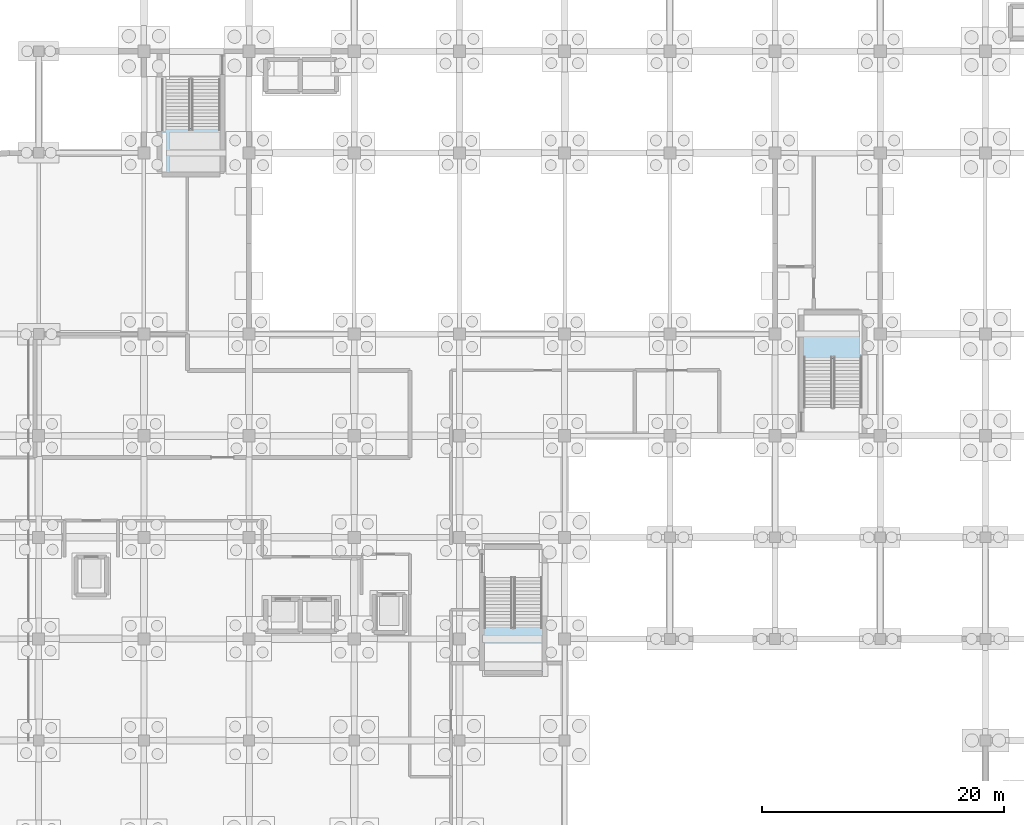
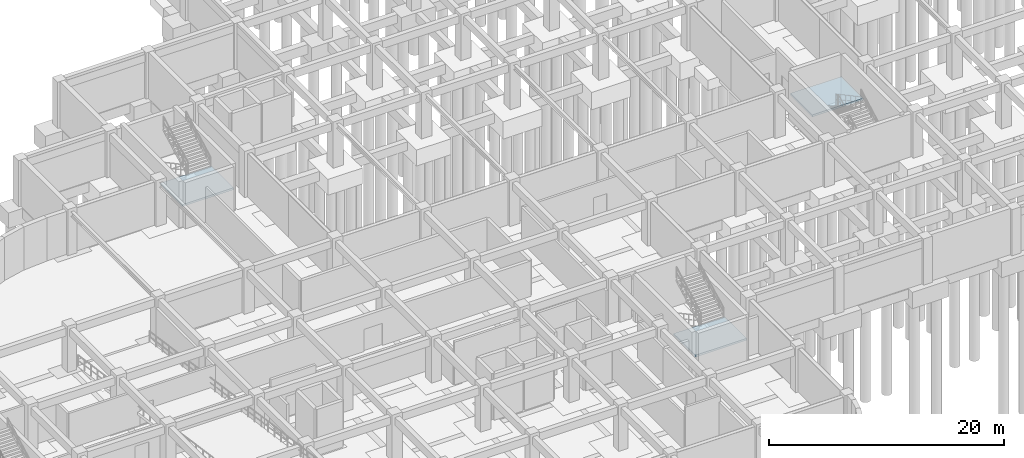
# One storey, part 20 of 33: 3 slabs, 3 elements without a shape of their own.
"""IFC4 building model written with IfcOpenShell, lengths in metres."""

from ifc_helpers import new_model, si_unit, derived_unit, direction, frame, origin, place, context, subcontext, project, spatial, polyline, outline, extrude, material, layer, layer_set, type_object, element, aggregate, save


model = new_model("IFC4")

# Units and contexts
model_context = context("Model", 3, precision=1e-05, world=origin(), true_north=direction((0.0, 1.0)))
body_context = subcontext(model_context, "Body", "Model", "MODEL_VIEW")
ifc_project = project(units=[si_unit("LENGTHUNIT", "METRE"), si_unit("AREAUNIT", "SQUARE_METRE"), si_unit("VOLUMEUNIT", "CUBIC_METRE"), si_unit("PLANEANGLEUNIT", "RADIAN"), si_unit("MASSUNIT", "GRAM", prefix="KILO"), derived_unit("THERMALTRANSMITTANCEUNIT", [(si_unit("MASSUNIT", "GRAM", prefix="KILO"), 1), (si_unit("TIMEUNIT", "SECOND"), -3), (si_unit("THERMODYNAMICTEMPERATUREUNIT", "KELVIN"), -1)])], contexts=[model_context])

# Site, building, storey
site_placement = place(None, origin())
site = spatial("IfcSite", under=ifc_project, at=site_placement, CompositionType="ELEMENT")
building_placement = place(site_placement, origin())
building = spatial("IfcBuilding", under=site, at=building_placement, Name="Qinzheling Arcade Emporium", CompositionType="ELEMENT")
storey_placement = place(building_placement, frame((0.0, 0.0, -9.60009765625)))
storey = spatial("IfcBuildingStorey", under=building, at=storey_placement, Name="B2", CompositionType="ELEMENT", Elevation=-9.60009765625)

# Stair, slab
ifc_material = material(Name="Concrete C40", Category="concrete")
stair_type = type_object("IfcStairType", Name="Cast-in-Situ Dog-Leg Escape Stair H4800", PredefinedType="HALF_TURN_STAIR", material=ifc_material)
stair_1_placement = place(storey_placement, origin())
stair_1 = element("IfcStair", 1, at=stair_1_placement, inside=storey, type_object=stair_type, Name="B2 ST01", PredefinedType="HALF_TURN_STAIR")
ifc_layer = layer(ifc_material, 0.199951171875, Name="Concrete C40", Category="concrete")
ifc_layer_set = layer_set([ifc_layer], Name="Concrete C40")
slab_type = type_object("IfcSlabType", Name="Stair Half-Turn Landing Slab 200 C40", PredefinedType="LANDING", material=ifc_layer_set)
slab_1_placement = place(storey_placement, frame((0.0, 0.0, 2.2001953125)))
slab_1 = element("IfcSlab", 2, at=slab_1_placement, type_object=slab_type, Name="ST01 landing 1", PredefinedType="LANDING", context=body_context, shape_type="SweptSolid", body=[
    extrude(outline(polyline([(62.830078125, 26.199951171875), (67.860107421875, 26.199951171875), (67.860107421875, 22.47998046875), (62.830078125, 22.47998046875), (62.830078125, 26.199951171875)])), origin(), (0.0, 0.0, 1.0), 0.199951171875),
])
aggregate(stair_1, [slab_1])

stair_2_placement = place(storey_placement, origin())
stair_2 = element("IfcStair", 3, at=stair_2_placement, inside=storey, type_object=stair_type, Name="B2 ST03", PredefinedType="HALF_TURN_STAIR")
slab_2_placement = place(storey_placement, frame((0.0, 0.0, 2.2001953125)))
slab_2 = element("IfcSlab", 4, at=slab_2_placement, type_object=slab_type, Name="ST03 landing 1", PredefinedType="LANDING", context=body_context, shape_type="SweptSolid", body=[
    extrude(outline(polyline([(36.179931640625, 67.39990234375), (41.2099609375, 67.39990234375), (41.2099609375, 63.679931640625), (36.179931640625, 63.679931640625), (36.179931640625, 67.39990234375)])), origin(), (0.0, 0.0, 1.0), 0.199951171875),
])
aggregate(stair_2, [slab_2])

stair_3_placement = place(storey_placement, origin())
stair_3 = element("IfcStair", 5, at=stair_3_placement, inside=storey, type_object=stair_type, Name="B2 ST04", PredefinedType="HALF_TURN_STAIR")
slab_3_placement = place(storey_placement, frame((0.0, 0.0, 2.2001953125)))
slab_3 = element("IfcSlab", 6, at=slab_3_placement, type_object=slab_type, Name="ST04 landing 1", PredefinedType="LANDING", context=body_context, shape_type="SweptSolid", body=[
    extrude(outline(polyline([(94.31005859375, 48.39990234375), (89.280029296875, 48.39990234375), (89.280029296875, 52.1201171875), (94.31005859375, 52.1201171875), (94.31005859375, 48.39990234375)])), origin(), (0.0, 0.0, 1.0), 0.199951171875),
])
aggregate(stair_3, [slab_3])

save(model, "model.ifc")
